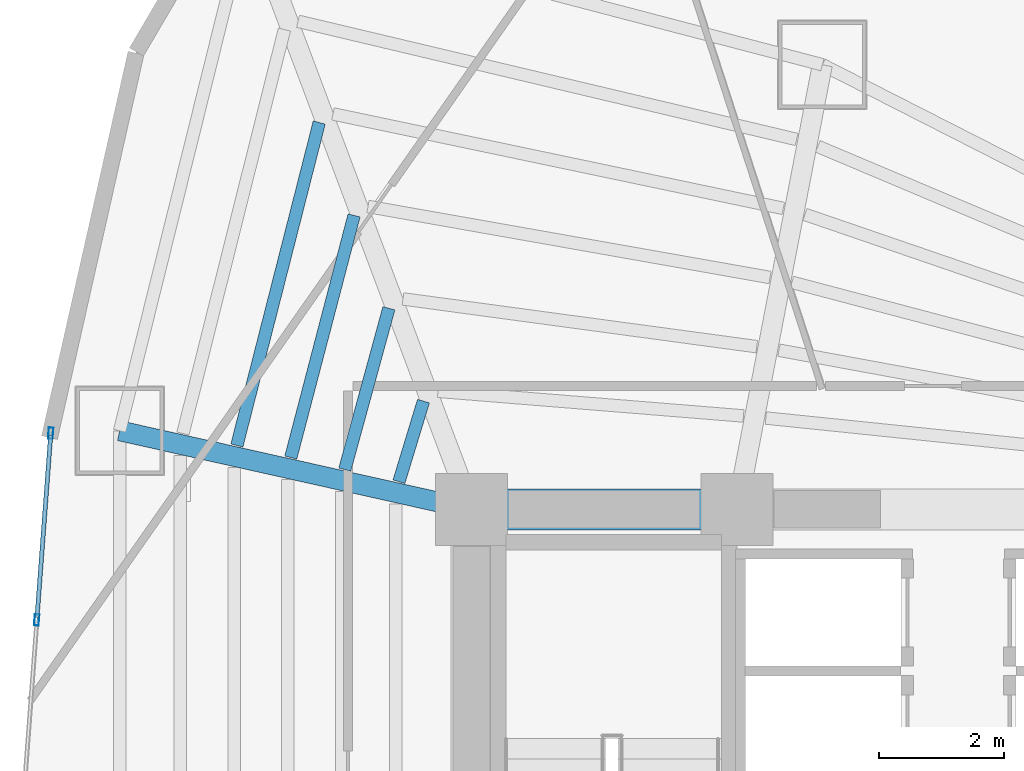
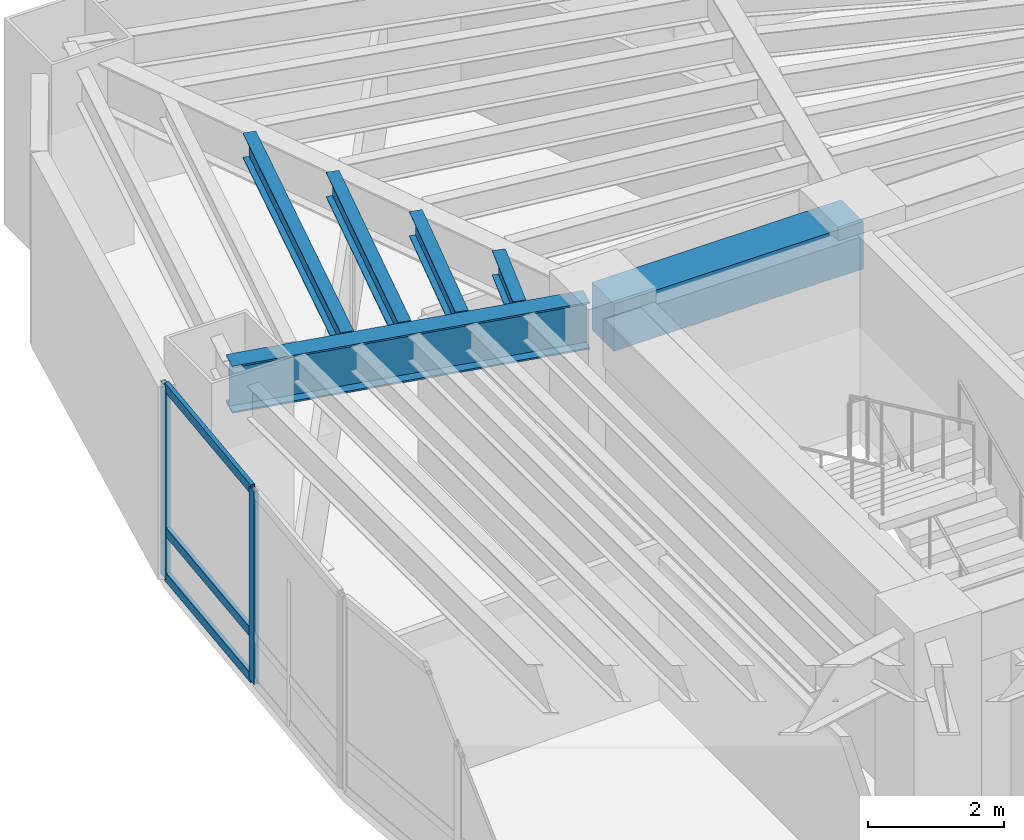
# One storey, part 8 of 20: 6 beams, 5 members, 1 element without a shape of its own.
"""IFC4 building model written with IfcOpenShell, lengths in metres."""

from ifc_helpers import new_model, si_unit, direction, frame, origin, origin_2d, place, context, subcontext, project, spatial, rectangle, hollow_rectangle, i_section, extrude, material, layer, layer_set, material_profile, profile_set, type_object, element, aggregate, save


model = new_model("IFC4")

# Units and contexts
model_context = context("Model", 3, precision=1e-05, world=origin(), true_north=direction((0.0, 1.0)))
body_context = subcontext(model_context, "Body", "Model", "MODEL_VIEW")
ifc_project = project(units=[si_unit("LENGTHUNIT", "METRE"), si_unit("AREAUNIT", "SQUARE_METRE"), si_unit("VOLUMEUNIT", "CUBIC_METRE"), si_unit("PLANEANGLEUNIT", "RADIAN"), si_unit("MASSUNIT", "GRAM", prefix="KILO")], contexts=[model_context])

# Site, building, storey
site_placement = place(None, origin())
site = spatial("IfcSite", under=ifc_project, at=site_placement, CompositionType="ELEMENT")
building_placement = place(site_placement, origin())
building = spatial("IfcBuilding", under=site, at=building_placement, Name="Menara Vayukalpa", CompositionType="ELEMENT")
storey_placement = place(building_placement, frame((0.0, 0.0, 61.080078125)))
storey = spatial("IfcBuildingStorey", under=building, at=storey_placement, Name="L14", CompositionType="ELEMENT", Elevation=61.080078125)

# Beams
ifc_material_1 = material(Name="Concrete C60/75", Category="concrete")
ifc_material_profile_1 = material_profile(ifc_material_1, rectangle(XDim=0.64990234375, YDim=0.85009765625, at=origin_2d()), Name="RC 650x850")
ifc_profile_set_1 = profile_set([ifc_material_profile_1], Name="Concrete C60/75")
beam_type_1 = type_object("IfcBeamType", Name="BM-CB1", PredefinedType="BEAM", material=ifc_profile_set_1)
beam_1_placement = place(storey_placement, frame((17.800048828125, 26.800048828125, 3.044921875), z_axis=(1.0, 0.0, 0.0), x_axis=(0.0, 1.0, 0.0)))
element("IfcBeam", 1, at=beam_1_placement, inside=storey, type_object=beam_type_1, Name="L14 Core Tie Beam CBR4", PredefinedType="BEAM", context=body_context, shape_type="SweptSolid", body=[
    extrude(rectangle(XDim=0.64990234375, YDim=0.85009765625, at=origin_2d()), origin(), (0.0, 0.0, 1.0), 4.25),
])
ifc_material_2 = material(Name="Steel S355", Category="steel")
ifc_material_profile_2 = material_profile(ifc_material_2, i_section(OverallWidth=0.320068359375, OverallDepth=0.85009765625, WebThickness=0.01611328125, FlangeThickness=0.030029296875, at=origin_2d()), Name="WF 850x320x16x30")
ifc_profile_set_2 = profile_set([ifc_material_profile_2], Name="Steel S355")
beam_type_2 = type_object("IfcBeamType", Name="BM-PG2", PredefinedType="BEAM", material=ifc_profile_set_2)
beam_2_placement = place(storey_placement, frame((17.555908203125, 26.8544921875, 3.044921875), z_axis=(-0.975920137818, 0.218128138031, 0.0), x_axis=(-0.218128138031, -0.975920137818, 0.0)))
element("IfcBeam", 2, at=beam_2_placement, inside=storey, type_object=beam_type_2, Name="L14 Primary Radial Girder RG05", PredefinedType="BEAM", context=body_context, shape_type="SweptSolid", body=[
    extrude(i_section(OverallWidth=0.320068359375, OverallDepth=0.85009765625, WebThickness=0.01611328125, FlangeThickness=0.030029296875, at=origin_2d()), origin(), (0.0, 0.0, 1.0), 5.524658203125),
])
ifc_material_3 = material(Name="Steel S355", Category="steel")
ifc_material_profile_3 = material_profile(ifc_material_3, i_section(OverallWidth=0.199951171875, OverallDepth=0.449951171875, WebThickness=0.009033203125, FlangeThickness=0.013916015625, at=origin_2d()), Name="WF 450x200x9x14")
ifc_profile_set_3 = profile_set([ifc_material_profile_3], Name="Steel S355")
beam_type_3 = type_object("IfcBeamType", Name="BM-SJ1", PredefinedType="JOIST", material=ifc_profile_set_3)
beam_3_placement = place(storey_placement, frame((17.03076171875, 28.535888671875, 3.244873046875), z_axis=(-0.291010568606, -0.956719838281, 0.0), x_axis=(0.956719838281, -0.291010568606, 0.0)))
element("IfcBeam", 3, at=beam_3_placement, inside=storey, type_object=beam_type_3, Name="L14 Secondary Floor Joist SJ04-1", PredefinedType="JOIST", context=body_context, shape_type="SweptSolid", body=[
    extrude(i_section(OverallWidth=0.199951171875, OverallDepth=0.449951171875, WebThickness=0.009033203125, FlangeThickness=0.013916015625, at=origin_2d()), origin(), (0.0, 0.0, 1.0), 1.3505859375),
])
beam_4_placement = place(storey_placement, frame((16.4765625, 30.0224609375, 3.244873046875), z_axis=(-0.263618546233, -0.964627006714, 0.0), x_axis=(0.964627006714, -0.263618546233, 0.0)))
element("IfcBeam", 4, at=beam_4_placement, inside=storey, type_object=beam_type_3, Name="L14 Secondary Floor Joist SJ04-2", PredefinedType="JOIST", context=body_context, shape_type="SweptSolid", body=[
    extrude(i_section(OverallWidth=0.199951171875, OverallDepth=0.449951171875, WebThickness=0.009033203125, FlangeThickness=0.013916015625, at=origin_2d()), origin(), (0.0, 0.0, 1.0), 2.67919921875),
])
beam_5_placement = place(storey_placement, frame((15.919189453125, 31.510009765625, 3.244873046875), z_axis=(-0.25283833468, -0.967508540798, 0.0), x_axis=(0.967508540798, -0.25283833468, 0.0)))
element("IfcBeam", 5, at=beam_5_placement, inside=storey, type_object=beam_type_3, Name="L14 Secondary Floor Joist SJ04-3", PredefinedType="JOIST", context=body_context, shape_type="SweptSolid", body=[
    extrude(i_section(OverallWidth=0.199951171875, OverallDepth=0.449951171875, WebThickness=0.009033203125, FlangeThickness=0.013916015625, at=origin_2d()), origin(), (0.0, 0.0, 1.0), 4.00927734375),
])
beam_6_placement = place(storey_placement, frame((15.361328125, 32.997802734375, 3.244873046875), z_axis=(-0.247105572938, -0.968988563309, 0.0), x_axis=(0.968988563309, -0.247105572938, 0.0)))
element("IfcBeam", 6, at=beam_6_placement, inside=storey, type_object=beam_type_3, Name="L14 Secondary Floor Joist SJ04-4", PredefinedType="JOIST", context=body_context, shape_type="SweptSolid", body=[
    extrude(i_section(OverallWidth=0.199951171875, OverallDepth=0.449951171875, WebThickness=0.009033203125, FlangeThickness=0.013916015625, at=origin_2d()), origin(), (0.0, 0.0, 1.0), 5.339111328125),
])

# Curtain wall, members
ifc_material_4 = material(Name="Anodised Terracotta Aluminium Alloy 6063-T6", Category="masonry")
ifc_layer = layer(ifc_material_4, 0.179931640625)
ifc_layer_set = layer_set([ifc_layer], Name="Anodised Terracotta Aluminium Alloy 6063-T6")
curtain_wall_type = type_object("IfcCurtainWallType", Name="CW-CW4", PredefinedType="USERDEFINED", material=ifc_layer_set)
curtain_wall_placement = place(storey_placement, origin())
curtain_wall = element("IfcCurtainWall", 7, at=curtain_wall_placement, inside=storey, type_object=curtain_wall_type, Name="L14 Sky Bar Cantilever Glazed Curtain Wall CW4 10", ObjectType="UNITISED", PredefinedType="USERDEFINED")
ifc_material_5 = material(Name="Anodised Terracotta Aluminium Alloy 6063-T6", Category="masonry")
ifc_material_profile_4 = material_profile(ifc_material_5, hollow_rectangle(XDim=0.074951171875, YDim=0.179931640625, WallThickness=0.00390625, at=origin_2d()), Name="ALU 75x180x4")
ifc_profile_set_4 = profile_set([ifc_material_profile_4], Name="Anodised Terracotta Aluminium Alloy 6063-T6")
member_type_1 = type_object("IfcMemberType", Name="CWM-CW4", PredefinedType="MULLION", material=ifc_profile_set_4)
member_1_placement = place(storey_placement, frame((11.061279296875, 28.022216796875, 0.0), z_axis=(0.0, 0.0, 1.0), x_axis=(0.997198941676, -0.074794857576, 0.0)))
member_1 = element("IfcMember", 8, at=member_1_placement, type_object=member_type_1, Name="CW4 mullion 1", PredefinedType="MULLION", context=body_context, shape_type="SweptSolid", body=[
    extrude(hollow_rectangle(XDim=0.074951171875, YDim=0.179931640625, WallThickness=0.00390625, at=origin_2d()), origin(), (0.0, 0.0, 1.0), 3.469970703125),
])
member_2_placement = place(storey_placement, frame((10.8369140625, 25.02978515625, 0.0), z_axis=(0.0, 0.0, 1.0), x_axis=(0.997198941676, -0.074794857576, 0.0)))
member_2 = element("IfcMember", 9, at=member_2_placement, type_object=member_type_1, Name="CW4 mullion 2", PredefinedType="MULLION", context=body_context, shape_type="SweptSolid", body=[
    extrude(hollow_rectangle(XDim=0.074951171875, YDim=0.179931640625, WallThickness=0.00390625, at=origin_2d()), origin(), (0.0, 0.0, 1.0), 3.469970703125),
])
ifc_material_6 = material(Name="Anodised Terracotta Aluminium Alloy 6063-T6", Category="masonry")
ifc_material_profile_5 = material_profile(ifc_material_6, hollow_rectangle(XDim=0.070068359375, YDim=0.1650390625, WallThickness=0.00390625, at=origin_2d()), Name="ALU 70x165x4")
ifc_profile_set_5 = profile_set([ifc_material_profile_5], Name="Anodised Terracotta Aluminium Alloy 6063-T6")
member_type_2 = type_object("IfcMemberType", Name="CWT-CW4", PredefinedType="USERDEFINED", material=ifc_profile_set_5)
member_3_placement = place(storey_placement, frame((11.05859375, 27.98486328125, 0.034912109375), z_axis=(-0.074762981632, -0.997201332017, 0.0), x_axis=(0.997201332017, -0.074762981632, 0.0)))
member_3 = element("IfcMember", 10, at=member_3_placement, type_object=member_type_2, Name="CW4 transom 1.1", ObjectType="TRANSOM", PredefinedType="USERDEFINED", context=body_context, shape_type="SweptSolid", body=[
    extrude(hollow_rectangle(XDim=0.070068359375, YDim=0.1650390625, WallThickness=0.00390625, at=origin_2d()), origin(), (0.0, 0.0, 1.0), 2.926025390625),
])
member_4_placement = place(storey_placement, frame((11.05859375, 27.98486328125, 0.849853515625), z_axis=(-0.074762981632, -0.997201332017, 0.0), x_axis=(0.997201332017, -0.074762981632, 0.0)))
member_4 = element("IfcMember", 11, at=member_4_placement, type_object=member_type_2, Name="CW4 transom 1.2", ObjectType="TRANSOM", PredefinedType="USERDEFINED", context=body_context, shape_type="SweptSolid", body=[
    extrude(hollow_rectangle(XDim=0.070068359375, YDim=0.1650390625, WallThickness=0.00390625, at=origin_2d()), origin(), (0.0, 0.0, 1.0), 2.926025390625),
])
member_5_placement = place(storey_placement, frame((11.05859375, 27.98486328125, 3.434814453125), z_axis=(-0.074762981632, -0.997201332017, 0.0), x_axis=(0.997201332017, -0.074762981632, 0.0)))
member_5 = element("IfcMember", 12, at=member_5_placement, type_object=member_type_2, Name="CW4 transom 1.3", ObjectType="TRANSOM", PredefinedType="USERDEFINED", context=body_context, shape_type="SweptSolid", body=[
    extrude(hollow_rectangle(XDim=0.070068359375, YDim=0.1650390625, WallThickness=0.00390625, at=origin_2d()), origin(), (0.0, 0.0, 1.0), 2.926025390625),
])
aggregate(curtain_wall, [member_1, member_2, member_3, member_4, member_5])

save(model, "model.ifc")
